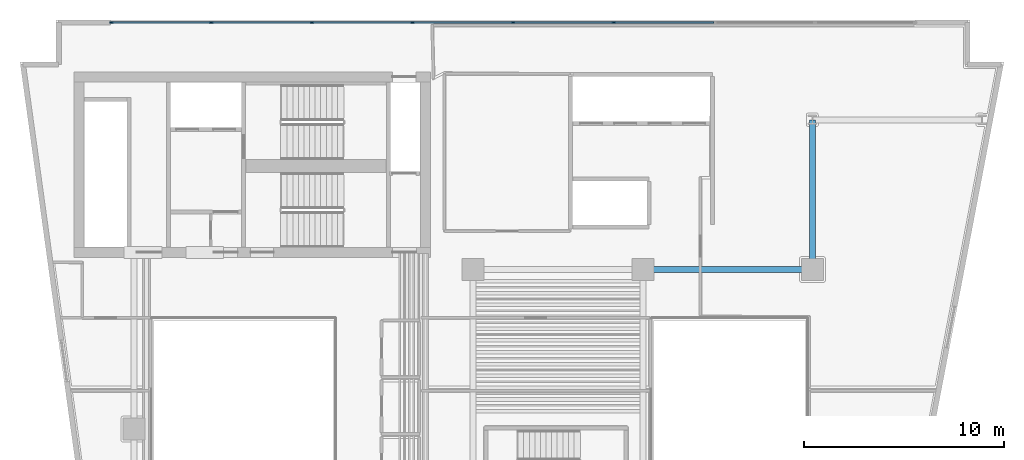
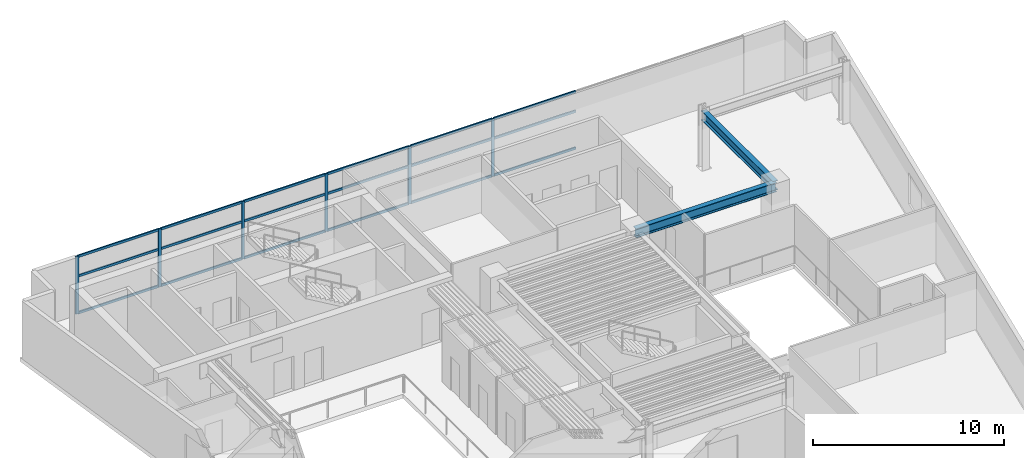
# One storey, part 3 of 13: 24 members, 2 beams, 1 element without a shape of its own.
"""IFC4 building model written with IfcOpenShell, lengths in metres."""

import ifcopenshell
import ifcopenshell.guid

model = None  # the IFC model being written
_history = None  # IfcOwnerHistory: only IFC2X3 demands one
_inside = {}  # id of a spatial element -> (the spatial element, [elements in it])
_under = {}  # id of a project, library or spatial element -> (it, [spatial elements below it])
_declared = {}  # id of a project -> (the project, [libraries it declares])
_typed = {}  # id of a type object -> (the type object, [elements of that type])
_made_of = {}  # id of a material, layer set ... -> (it, [elements and type objects made of it])


def new_model(schema):
    """Start an empty IFC model of exactly this schema.

    Asked for "IFC4X3", IfcOpenShell would pick the latest addendum, in which some entities
    have other attributes; the version numbers below select the first issue.
    IFC2X3 requires an IfcOwnerHistory on every rooted entity: one is made here for all.
    """
    global model, _history
    if schema == "IFC4X3":
        model = ifcopenshell.file(schema_version=(4, 3, 0, 0))
    else:
        model = ifcopenshell.file(schema=schema)
    _inside.clear()
    _under.clear()
    _declared.clear()
    _typed.clear()
    _made_of.clear()
    _history = None
    if model.schema == "IFC2X3":
        org = make("IfcOrganization", Name="unknown")
        user = make(
            "IfcPersonAndOrganization",
            ThePerson=make("IfcPerson", FamilyName="unknown"),
            TheOrganization=org,
        )
        app = make(
            "IfcApplication",
            ApplicationDeveloper=org,
            Version="unknown",
            ApplicationFullName="unknown",
            ApplicationIdentifier="unknown",
        )
        _history = make(
            "IfcOwnerHistory",
            OwningUser=user,
            OwningApplication=app,
            ChangeAction="ADDED",
            CreationDate=0,
        )
    return model


def make(cls, **values):
    """One entity of the class cls with the attributes given. An attribute that is None is left unset."""
    return model.create_entity(
        cls, **{name: value for name, value in values.items() if value is not None}
    )


def rooted(cls, **values):
    """An entity with a GlobalId (a new one), such as an element, a storey or a relation."""
    return make(cls, GlobalId=ifcopenshell.guid.new(), OwnerHistory=_history, **values)


def si_unit(unit_type, name, prefix=None):
    """IfcSIUnit, for example si_unit("LENGTHUNIT", "METRE", prefix="MILLI")."""
    return make("IfcSIUnit", UnitType=unit_type, Prefix=prefix, Name=name)


def assignment(units):
    """IfcUnitAssignment: the units of a project."""
    return None if units is None else make("IfcUnitAssignment", Units=units)


def point(xyz):
    """IfcCartesianPoint."""
    return None if xyz is None else make("IfcCartesianPoint", Coordinates=xyz)


def direction(xyz):
    """IfcDirection."""
    return None if xyz is None else make("IfcDirection", DirectionRatios=xyz)


def frame(location, z_axis=None, x_axis=None):
    """IfcAxis2Placement3D, a coordinate frame: its origin and axes. An axis left out is left unset."""
    return make(
        "IfcAxis2Placement3D",
        Location=point(location),
        Axis=direction(z_axis),
        RefDirection=direction(x_axis),
    )


def frame_2d(location, x_axis=None):
    """IfcAxis2Placement2D, a coordinate frame in the plane: its origin and x axis."""
    return make(
        "IfcAxis2Placement2D", Location=point(location), RefDirection=direction(x_axis)
    )


def origin():
    """The frame at (0, 0, 0) with its axes left unset."""
    return frame((0.0, 0.0, 0.0))


def origin_2d():
    """The frame at (0, 0) in the plane with its x axis left unset."""
    return frame_2d((0.0, 0.0))


def place(relative_to, where):
    """IfcLocalPlacement: puts the frame where relative to a parent placement (None: the world)."""
    return make(
        "IfcLocalPlacement", PlacementRelTo=relative_to, RelativePlacement=where
    )


def context(
    kind, dimensions, precision=None, world=None, true_north=None, identifier=None
):
    """IfcGeometricRepresentationContext, for example the 3D "Model" context."""
    return make(
        "IfcGeometricRepresentationContext",
        ContextIdentifier=identifier,
        ContextType=kind,
        CoordinateSpaceDimension=dimensions,
        Precision=precision,
        WorldCoordinateSystem=world,
        TrueNorth=true_north,
    )


def subcontext(parent, identifier, kind, view, scale=None):
    """IfcGeometricRepresentationSubContext, for example "Body" below "Model"."""
    return make(
        "IfcGeometricRepresentationSubContext",
        ContextIdentifier=identifier,
        ContextType=kind,
        ParentContext=parent,
        TargetScale=scale,
        TargetView=view,
    )


def project(units=None, contexts=None):
    """IfcProject with its units and contexts."""
    return rooted(
        "IfcProject",
        Name="project",
        RepresentationContexts=contexts,
        UnitsInContext=assignment(units),
    )


def spatial(cls, under=None, at=None, **own):
    """A site, building, storey or space (cls), placed at a placement, below another one or the project."""
    s = rooted(cls, ObjectPlacement=at, **own)
    if under is not None:
        _under.setdefault(under.id(), (under, []))[1].append(s)
    return s


def profile(cls, at=None, kind="AREA", **sizes):
    """A parametric profile (cls). Its sizes go by their IFC names, for example OverallWidth=200.0."""
    return make(cls, ProfileType=kind, Position=at, **sizes)


def rectangle(**sizes):
    """IfcRectangleProfileDef."""
    return profile("IfcRectangleProfileDef", **sizes)


def i_section(**sizes):
    """IfcIShapeProfileDef."""
    return profile("IfcIShapeProfileDef", **sizes)


def extrude(swept, where, along, depth):
    """IfcExtrudedAreaSolid: the profile swept, set in the frame where, extruded along a direction by depth."""
    return make(
        "IfcExtrudedAreaSolid",
        SweptArea=swept,
        Position=where,
        ExtrudedDirection=direction(along),
        Depth=depth,
    )


def shape(context_of_items, identifier, shape_type, items):
    """IfcShapeRepresentation: the items that make up one representation, for example the "Body"."""
    return make(
        "IfcShapeRepresentation",
        ContextOfItems=context_of_items,
        RepresentationIdentifier=identifier,
        RepresentationType=shape_type,
        Items=items,
    )


def material(Name=None, Category=None):
    """IfcMaterial."""
    return make("IfcMaterial", Name=Name, Category=Category)


def layer(
    of_material, thickness, ventilated=None, Name=None, Category=None, Priority=None
):
    """IfcMaterialLayer: one layer of a wall or slab, of a material (None: an air gap)."""
    return make(
        "IfcMaterialLayer",
        Material=of_material,
        LayerThickness=thickness,
        IsVentilated=ventilated,
        Name=Name,
        Category=Category,
        Priority=Priority,
    )


def layer_set(layers, Name=None):
    """IfcMaterialLayerSet."""
    return make("IfcMaterialLayerSet", MaterialLayers=layers, LayerSetName=Name)


def material_profile(
    of_material, cross_section, Name=None, Category=None, Priority=None
):
    """IfcMaterialProfile: a cross section and its material."""
    return make(
        "IfcMaterialProfile",
        Name=Name,
        Material=of_material,
        Profile=cross_section,
        Priority=Priority,
        Category=Category,
    )


def profile_set(profiles, Name=None, composite=None):
    """IfcMaterialProfileSet."""
    return make(
        "IfcMaterialProfileSet",
        Name=Name,
        MaterialProfiles=profiles,
        CompositeProfile=composite,
    )


def made_of(thing, what):
    """Note that an element or type object is made of a material, layer set ...; save() writes the relation."""
    if what is not None:
        _made_of.setdefault(what.id(), (what, []))[1].append(thing)
    return thing


def type_object(cls, material=None, **own):
    """A type object (cls), such as IfcWallType, which elements share."""
    return made_of(rooted(cls, **own), material)


def element(
    cls,
    number,
    at=None,
    inside=None,
    cuts=None,
    type_object=None,
    material=None,
    context=None,
    identifier="Body",
    shape_type=None,
    held_by="IfcProductDefinitionShape",
    body=None,
    shapes=None,
    **own,
):
    """One element of the class cls, such as IfcWall. Its Tag is "e" and its number.

    at: its placement. inside: the storey or other place that contains it. cuts: it is an
    opening in that element (IfcRelVoidsElement). A single representation is given by context,
    identifier, shape_type and body (its items); several are given by shapes. held_by: the class
    of the entity that holds the representations. save() writes the other relations.
    """
    e = rooted(cls, Tag="e%d" % number, ObjectPlacement=at, **own)
    if body is not None:
        shapes = [shape(context, identifier, shape_type, body)]
    if shapes is not None:
        e.Representation = make(held_by, Representations=shapes)
    if inside is not None:
        _inside.setdefault(inside.id(), (inside, []))[1].append(e)
    if cuts is not None:
        rooted(
            "IfcRelVoidsElement", RelatingBuildingElement=cuts, RelatedOpeningElement=e
        )
    if type_object is not None:
        _typed.setdefault(type_object.id(), (type_object, []))[1].append(e)
    return made_of(e, material)


def aggregate(whole, parts):
    """IfcRelAggregates: a whole, such as a stair, and the parts it consists of."""
    return rooted("IfcRelAggregates", RelatingObject=whole, RelatedObjects=parts)


def save(model, path):
    """Write the relations noted so far, then the file.

    IfcRelAggregates (storeys below a building ...), IfcRelContainedInSpatialStructure (elements
    in a storey), IfcRelDefinesByType, IfcRelAssociatesMaterial and IfcRelDeclares: one each for
    every whole, place, type object, material and project.
    """
    for whole, parts in _under.values():
        aggregate(whole, parts)
    for where, things in _inside.values():
        rooted(
            "IfcRelContainedInSpatialStructure",
            RelatedElements=things,
            RelatingStructure=where,
        )
    for kind, things in _typed.values():
        rooted("IfcRelDefinesByType", RelatedObjects=things, RelatingType=kind)
    for what, things in _made_of.values():
        rooted("IfcRelAssociatesMaterial", RelatedObjects=things, RelatingMaterial=what)
    for by, libraries in _declared.values():
        rooted("IfcRelDeclares", RelatingContext=by, RelatedDefinitions=libraries)
    model.write(path)


model = new_model("IFC4")

# Units and contexts
model_context = context("Model", 3, precision=1e-05, world=origin(), true_north=direction((0.0, 1.0)))
body_context = subcontext(model_context, "Body", "Model", "MODEL_VIEW")
ifc_project = project(units=[si_unit("LENGTHUNIT", "METRE"), si_unit("AREAUNIT", "SQUARE_METRE"), si_unit("VOLUMEUNIT", "CUBIC_METRE"), si_unit("PLANEANGLEUNIT", "RADIAN"), si_unit("MASSUNIT", "GRAM", prefix="KILO")], contexts=[model_context])

# Site, building, storey
site_placement = place(None, origin())
site = spatial("IfcSite", under=ifc_project, at=site_placement, CompositionType="ELEMENT")
building_placement = place(site_placement, origin())
building = spatial("IfcBuilding", under=site, at=building_placement, Name="Caeloran Harvest Quay", CompositionType="ELEMENT")
storey_placement = place(building_placement, frame((0.0, 0.0, 143.0)))
storey = spatial("IfcBuildingStorey", under=building, at=storey_placement, Name="L33", CompositionType="ELEMENT", Elevation=143.0)

# Beams
ifc_material_1 = material(Name="Steel S355J2", Category="steel")
ifc_material_profile_1 = material_profile(ifc_material_1, i_section(OverallWidth=0.300048828125, OverallDepth=0.60009765625, WebThickness=0.015380859375, FlangeThickness=0.030029296875, FilletRadius=0.027099609375, at=origin_2d()), Name="HE 600 B")
ifc_profile_set_1 = profile_set([ifc_material_profile_1], Name="Steel S355J2")
beam_type = type_object("IfcBeamType", Name="BM-PG-3-HE_600_B", PredefinedType="BEAM", material=ifc_profile_set_1)
beam_1_placement = place(storey_placement, frame((34.0, 31.0, 3.389892578125), z_axis=(1.0, 0.0, 0.0), x_axis=(0.0, 1.0, 0.0)))
element("IfcBeam", 1, at=beam_1_placement, inside=storey, type_object=beam_type, Name="L33 Primary East-West Girder Y=31.0", PredefinedType="BEAM", context=body_context, shape_type="SweptSolid", body=[
    extrude(i_section(OverallWidth=0.300048828125, OverallDepth=0.60009765625, WebThickness=0.015380859375, FlangeThickness=0.030029296875, FilletRadius=0.027099609375, at=origin_2d()), origin(), (0.0, 0.0, 1.0), 8.5),
])
beam_2_placement = place(storey_placement, frame((42.5, 31.0, 3.389892578125), z_axis=(0.0, 1.0, 0.0), x_axis=(-1.0, 0.0, 0.0)))
element("IfcBeam", 2, at=beam_2_placement, inside=storey, type_object=beam_type, Name="L33 Primary North-South Girder X=42.5", PredefinedType="BEAM", context=body_context, shape_type="SweptSolid", body=[
    extrude(i_section(OverallWidth=0.300048828125, OverallDepth=0.60009765625, WebThickness=0.015380859375, FlangeThickness=0.030029296875, FilletRadius=0.027099609375, at=origin_2d()), origin(), (0.0, 0.0, 1.0), 7.5),
])

# Curtain wall, members
ifc_material_2 = material(Name="Aluminium 6063-T6 and Low-E Glazing", Category="aluminium")
ifc_layer = layer(ifc_material_2, 0.18994140625, Name="Aluminium 6063-T6 and Low-E Glazing")
ifc_layer_set = layer_set([ifc_layer], Name="Aluminium 6063-T6 and Low-E Glazing")
curtain_wall_type = type_object("IfcCurtainWallType", Name="CW-SYS-CW-3", PredefinedType="USERDEFINED", material=ifc_layer_set)
curtain_wall_placement = place(storey_placement, origin())
curtain_wall = element("IfcCurtainWall", 3, at=curtain_wall_placement, inside=storey, type_object=curtain_wall_type, Name="L33 Unitised Curtain Wall CW-3 Run 6", ObjectType="CURTAIN_WALL", PredefinedType="USERDEFINED")
ifc_material_3 = material(Name="Aluminium 6063-T6", Category="aluminium")
ifc_material_profile_2 = material_profile(ifc_material_3, rectangle(XDim=0.080078125, YDim=0.179931640625, at=origin_2d()), Name="CW-MULLION-180")
ifc_profile_set_2 = profile_set([ifc_material_profile_2], Name="Aluminium 6063-T6")
member_type_1 = type_object("IfcMemberType", Name="CW-MULLION-180", PredefinedType="MULLION", material=ifc_profile_set_2)
member_1_placement = place(storey_placement, frame((7.3701171875, 43.3701171875, 0.0), z_axis=(0.0, 0.0, 1.0), x_axis=(0.0, 1.0, 0.0)))
member_1 = element("IfcMember", 4, at=member_1_placement, type_object=member_type_1, Name="CW-3 mullion 1", PredefinedType="MULLION", context=body_context, shape_type="SweptSolid", body=[
    extrude(rectangle(XDim=0.080078125, YDim=0.179931640625, at=origin_2d()), origin(), (0.0, 0.0, 1.0), 3.68994140625),
])
member_2_placement = place(storey_placement, frame((12.37255859375, 43.3701171875, 0.0), z_axis=(0.0, 0.0, 1.0), x_axis=(0.0, 1.0, 0.0)))
member_2 = element("IfcMember", 5, at=member_2_placement, type_object=member_type_1, Name="CW-3 mullion 2", PredefinedType="MULLION", context=body_context, shape_type="SweptSolid", body=[
    extrude(rectangle(XDim=0.080078125, YDim=0.179931640625, at=origin_2d()), origin(), (0.0, 0.0, 1.0), 3.68994140625),
])
member_3_placement = place(storey_placement, frame((17.4150390625, 43.3701171875, 0.0), z_axis=(0.0, 0.0, 1.0), x_axis=(0.0, 1.0, 0.0)))
member_3 = element("IfcMember", 6, at=member_3_placement, type_object=member_type_1, Name="CW-3 mullion 3", PredefinedType="MULLION", context=body_context, shape_type="SweptSolid", body=[
    extrude(rectangle(XDim=0.080078125, YDim=0.179931640625, at=origin_2d()), origin(), (0.0, 0.0, 1.0), 3.68994140625),
])
member_4_placement = place(storey_placement, frame((22.45751953125, 43.3701171875, 0.0), z_axis=(0.0, 0.0, 1.0), x_axis=(0.0, 1.0, 0.0)))
member_4 = element("IfcMember", 7, at=member_4_placement, type_object=member_type_1, Name="CW-3 mullion 4", PredefinedType="MULLION", context=body_context, shape_type="SweptSolid", body=[
    extrude(rectangle(XDim=0.080078125, YDim=0.179931640625, at=origin_2d()), origin(), (0.0, 0.0, 1.0), 3.68994140625),
])
member_5_placement = place(storey_placement, frame((27.5, 43.3701171875, 0.0), z_axis=(0.0, 0.0, 1.0), x_axis=(0.0, 1.0, 0.0)))
member_5 = element("IfcMember", 8, at=member_5_placement, type_object=member_type_1, Name="CW-3 mullion 5", PredefinedType="MULLION", context=body_context, shape_type="SweptSolid", body=[
    extrude(rectangle(XDim=0.080078125, YDim=0.179931640625, at=origin_2d()), origin(), (0.0, 0.0, 1.0), 3.68994140625),
])
member_6_placement = place(storey_placement, frame((32.54248046875, 43.3701171875, 0.0), z_axis=(0.0, 0.0, 1.0), x_axis=(0.0, 1.0, 0.0)))
member_6 = element("IfcMember", 9, at=member_6_placement, type_object=member_type_1, Name="CW-3 mullion 6", PredefinedType="MULLION", context=body_context, shape_type="SweptSolid", body=[
    extrude(rectangle(XDim=0.080078125, YDim=0.179931640625, at=origin_2d()), origin(), (0.0, 0.0, 1.0), 3.68994140625),
])
ifc_material_profile_3 = material_profile(ifc_material_3, rectangle(XDim=0.080078125, YDim=0.14990234375, at=origin_2d()), Name="CW-TRANSOM-150")
ifc_profile_set_3 = profile_set([ifc_material_profile_3], Name="Aluminium 6063-T6")
member_type_2 = type_object("IfcMemberType", Name="CW-TRANSOM-150", PredefinedType="USERDEFINED", material=ifc_profile_set_3)
member_7_placement = place(storey_placement, frame((7.409912109375, 43.3701171875, 0.0400390625), z_axis=(1.0, 0.0, 0.0), x_axis=(0.0, 1.0, 0.0)))
member_7 = element("IfcMember", 10, at=member_7_placement, type_object=member_type_2, Name="CW-3 transom 1.1", ObjectType="TRANSOM", PredefinedType="USERDEFINED", context=body_context, shape_type="SweptSolid", body=[
    extrude(rectangle(XDim=0.080078125, YDim=0.14990234375, at=origin_2d()), origin(), (0.0, 0.0, 1.0), 4.922607421875),
])
member_8_placement = place(storey_placement, frame((7.409912109375, 43.3701171875, 2.39990234375), z_axis=(1.0, 0.0, 0.0), x_axis=(0.0, 1.0, 0.0)))
member_8 = element("IfcMember", 11, at=member_8_placement, type_object=member_type_2, Name="CW-3 transom 1.2", ObjectType="TRANSOM", PredefinedType="USERDEFINED", context=body_context, shape_type="SweptSolid", body=[
    extrude(rectangle(XDim=0.080078125, YDim=0.14990234375, at=origin_2d()), origin(), (0.0, 0.0, 1.0), 4.922607421875),
])
member_9_placement = place(storey_placement, frame((7.409912109375, 43.3701171875, 3.64990234375), z_axis=(1.0, 0.0, 0.0), x_axis=(0.0, 1.0, 0.0)))
member_9 = element("IfcMember", 12, at=member_9_placement, type_object=member_type_2, Name="CW-3 transom 1.3", ObjectType="TRANSOM", PredefinedType="USERDEFINED", context=body_context, shape_type="SweptSolid", body=[
    extrude(rectangle(XDim=0.080078125, YDim=0.14990234375, at=origin_2d()), origin(), (0.0, 0.0, 1.0), 4.922607421875),
])
member_10_placement = place(storey_placement, frame((12.41259765625, 43.3701171875, 0.0400390625), z_axis=(1.0, 0.0, 0.0), x_axis=(0.0, 1.0, 0.0)))
member_10 = element("IfcMember", 13, at=member_10_placement, type_object=member_type_2, Name="CW-3 transom 2.1", ObjectType="TRANSOM", PredefinedType="USERDEFINED", context=body_context, shape_type="SweptSolid", body=[
    extrude(rectangle(XDim=0.080078125, YDim=0.14990234375, at=origin_2d()), origin(), (0.0, 0.0, 1.0), 4.96240234375),
])
member_11_placement = place(storey_placement, frame((12.41259765625, 43.3701171875, 2.39990234375), z_axis=(1.0, 0.0, 0.0), x_axis=(0.0, 1.0, 0.0)))
member_11 = element("IfcMember", 14, at=member_11_placement, type_object=member_type_2, Name="CW-3 transom 2.2", ObjectType="TRANSOM", PredefinedType="USERDEFINED", context=body_context, shape_type="SweptSolid", body=[
    extrude(rectangle(XDim=0.080078125, YDim=0.14990234375, at=origin_2d()), origin(), (0.0, 0.0, 1.0), 4.96240234375),
])
member_12_placement = place(storey_placement, frame((12.41259765625, 43.3701171875, 3.64990234375), z_axis=(1.0, 0.0, 0.0), x_axis=(0.0, 1.0, 0.0)))
member_12 = element("IfcMember", 15, at=member_12_placement, type_object=member_type_2, Name="CW-3 transom 2.3", ObjectType="TRANSOM", PredefinedType="USERDEFINED", context=body_context, shape_type="SweptSolid", body=[
    extrude(rectangle(XDim=0.080078125, YDim=0.14990234375, at=origin_2d()), origin(), (0.0, 0.0, 1.0), 4.96240234375),
])
member_13_placement = place(storey_placement, frame((17.455078125, 43.3701171875, 0.0400390625), z_axis=(1.0, 0.0, 0.0), x_axis=(0.0, 1.0, 0.0)))
member_13 = element("IfcMember", 16, at=member_13_placement, type_object=member_type_2, Name="CW-3 transom 3.1", ObjectType="TRANSOM", PredefinedType="USERDEFINED", context=body_context, shape_type="SweptSolid", body=[
    extrude(rectangle(XDim=0.080078125, YDim=0.14990234375, at=origin_2d()), origin(), (0.0, 0.0, 1.0), 4.96240234375),
])
member_14_placement = place(storey_placement, frame((17.455078125, 43.3701171875, 2.39990234375), z_axis=(1.0, 0.0, 0.0), x_axis=(0.0, 1.0, 0.0)))
member_14 = element("IfcMember", 17, at=member_14_placement, type_object=member_type_2, Name="CW-3 transom 3.2", ObjectType="TRANSOM", PredefinedType="USERDEFINED", context=body_context, shape_type="SweptSolid", body=[
    extrude(rectangle(XDim=0.080078125, YDim=0.14990234375, at=origin_2d()), origin(), (0.0, 0.0, 1.0), 4.96240234375),
])
member_15_placement = place(storey_placement, frame((17.455078125, 43.3701171875, 3.64990234375), z_axis=(1.0, 0.0, 0.0), x_axis=(0.0, 1.0, 0.0)))
member_15 = element("IfcMember", 18, at=member_15_placement, type_object=member_type_2, Name="CW-3 transom 3.3", ObjectType="TRANSOM", PredefinedType="USERDEFINED", context=body_context, shape_type="SweptSolid", body=[
    extrude(rectangle(XDim=0.080078125, YDim=0.14990234375, at=origin_2d()), origin(), (0.0, 0.0, 1.0), 4.96240234375),
])
member_16_placement = place(storey_placement, frame((22.49755859375, 43.3701171875, 0.0400390625), z_axis=(1.0, 0.0, 0.0), x_axis=(0.0, 1.0, 0.0)))
member_16 = element("IfcMember", 19, at=member_16_placement, type_object=member_type_2, Name="CW-3 transom 4.1", ObjectType="TRANSOM", PredefinedType="USERDEFINED", context=body_context, shape_type="SweptSolid", body=[
    extrude(rectangle(XDim=0.080078125, YDim=0.14990234375, at=origin_2d()), origin(), (0.0, 0.0, 1.0), 4.96240234375),
])
member_17_placement = place(storey_placement, frame((22.49755859375, 43.3701171875, 2.39990234375), z_axis=(1.0, 0.0, 0.0), x_axis=(0.0, 1.0, 0.0)))
member_17 = element("IfcMember", 20, at=member_17_placement, type_object=member_type_2, Name="CW-3 transom 4.2", ObjectType="TRANSOM", PredefinedType="USERDEFINED", context=body_context, shape_type="SweptSolid", body=[
    extrude(rectangle(XDim=0.080078125, YDim=0.14990234375, at=origin_2d()), origin(), (0.0, 0.0, 1.0), 4.96240234375),
])
member_18_placement = place(storey_placement, frame((22.49755859375, 43.3701171875, 3.64990234375), z_axis=(1.0, 0.0, 0.0), x_axis=(0.0, 1.0, 0.0)))
member_18 = element("IfcMember", 21, at=member_18_placement, type_object=member_type_2, Name="CW-3 transom 4.3", ObjectType="TRANSOM", PredefinedType="USERDEFINED", context=body_context, shape_type="SweptSolid", body=[
    extrude(rectangle(XDim=0.080078125, YDim=0.14990234375, at=origin_2d()), origin(), (0.0, 0.0, 1.0), 4.96240234375),
])
member_19_placement = place(storey_placement, frame((27.5400390625, 43.3701171875, 0.0400390625), z_axis=(1.0, 0.0, 0.0), x_axis=(0.0, 1.0, 0.0)))
member_19 = element("IfcMember", 22, at=member_19_placement, type_object=member_type_2, Name="CW-3 transom 5.1", ObjectType="TRANSOM", PredefinedType="USERDEFINED", context=body_context, shape_type="SweptSolid", body=[
    extrude(rectangle(XDim=0.080078125, YDim=0.14990234375, at=origin_2d()), origin(), (0.0, 0.0, 1.0), 4.96240234375),
])
member_20_placement = place(storey_placement, frame((27.5400390625, 43.3701171875, 2.39990234375), z_axis=(1.0, 0.0, 0.0), x_axis=(0.0, 1.0, 0.0)))
member_20 = element("IfcMember", 23, at=member_20_placement, type_object=member_type_2, Name="CW-3 transom 5.2", ObjectType="TRANSOM", PredefinedType="USERDEFINED", context=body_context, shape_type="SweptSolid", body=[
    extrude(rectangle(XDim=0.080078125, YDim=0.14990234375, at=origin_2d()), origin(), (0.0, 0.0, 1.0), 4.96240234375),
])
member_21_placement = place(storey_placement, frame((27.5400390625, 43.3701171875, 3.64990234375), z_axis=(1.0, 0.0, 0.0), x_axis=(0.0, 1.0, 0.0)))
member_21 = element("IfcMember", 24, at=member_21_placement, type_object=member_type_2, Name="CW-3 transom 5.3", ObjectType="TRANSOM", PredefinedType="USERDEFINED", context=body_context, shape_type="SweptSolid", body=[
    extrude(rectangle(XDim=0.080078125, YDim=0.14990234375, at=origin_2d()), origin(), (0.0, 0.0, 1.0), 4.96240234375),
])
member_22_placement = place(storey_placement, frame((32.58251953125, 43.3701171875, 0.0400390625), z_axis=(1.0, 0.0, 0.0), x_axis=(0.0, 1.0, 0.0)))
member_22 = element("IfcMember", 25, at=member_22_placement, type_object=member_type_2, Name="CW-3 transom 6.1", ObjectType="TRANSOM", PredefinedType="USERDEFINED", context=body_context, shape_type="SweptSolid", body=[
    extrude(rectangle(XDim=0.080078125, YDim=0.14990234375, at=origin_2d()), origin(), (0.0, 0.0, 1.0), 4.96240234375),
])
member_23_placement = place(storey_placement, frame((32.58251953125, 43.3701171875, 2.39990234375), z_axis=(1.0, 0.0, 0.0), x_axis=(0.0, 1.0, 0.0)))
member_23 = element("IfcMember", 26, at=member_23_placement, type_object=member_type_2, Name="CW-3 transom 6.2", ObjectType="TRANSOM", PredefinedType="USERDEFINED", context=body_context, shape_type="SweptSolid", body=[
    extrude(rectangle(XDim=0.080078125, YDim=0.14990234375, at=origin_2d()), origin(), (0.0, 0.0, 1.0), 4.96240234375),
])
member_24_placement = place(storey_placement, frame((32.58251953125, 43.3701171875, 3.64990234375), z_axis=(1.0, 0.0, 0.0), x_axis=(0.0, 1.0, 0.0)))
member_24 = element("IfcMember", 27, at=member_24_placement, type_object=member_type_2, Name="CW-3 transom 6.3", ObjectType="TRANSOM", PredefinedType="USERDEFINED", context=body_context, shape_type="SweptSolid", body=[
    extrude(rectangle(XDim=0.080078125, YDim=0.14990234375, at=origin_2d()), origin(), (0.0, 0.0, 1.0), 4.96240234375),
])
aggregate(curtain_wall, [member_1, member_2, member_3, member_4, member_5, member_6, member_7, member_8, member_9, member_10, member_11, member_12, member_13, member_14, member_15, member_16, member_17, member_18, member_19, member_20, member_21, member_22, member_23, member_24])

save(model, "model.ifc")
